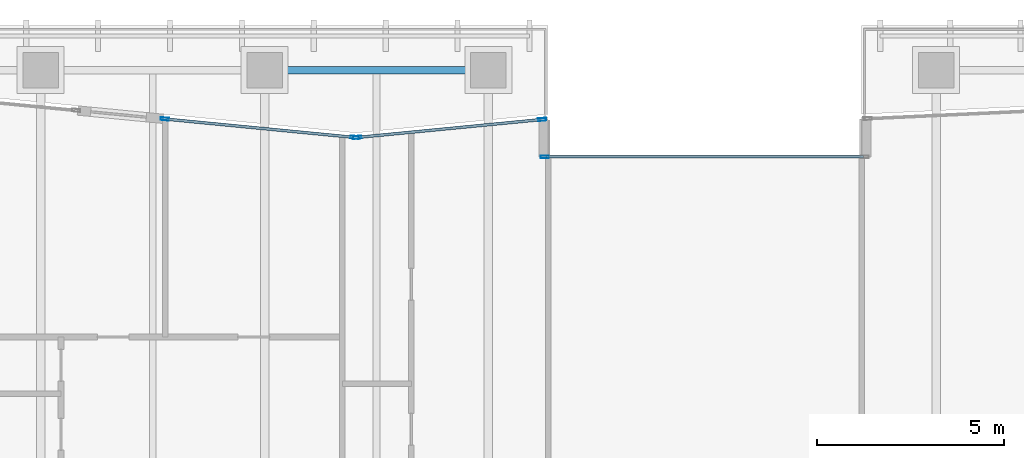
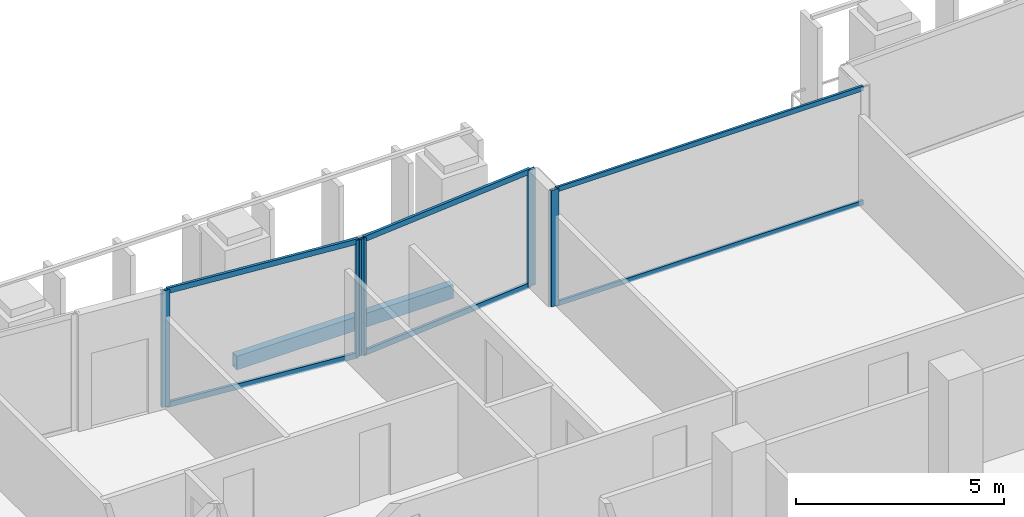
# One storey, part 13 of 39: 11 members, 1 beam, 3 elements without a shape of their own.
"""IFC4 building model written with IfcOpenShell, lengths in metres."""

from ifc_helpers import new_model, si_unit, direction, frame, origin, origin_2d, place, context, subcontext, project, spatial, hollow_rectangle, extrude, material, layer, layer_set, material_profile, profile_set, type_object, element, aggregate, save


model = new_model("IFC4")

# Units and contexts
model_context = context("Model", 3, precision=1e-05, world=origin(), true_north=direction((0.0, 1.0)))
body_context = subcontext(model_context, "Body", "Model", "MODEL_VIEW")
ifc_project = project(units=[si_unit("LENGTHUNIT", "METRE"), si_unit("AREAUNIT", "SQUARE_METRE"), si_unit("VOLUMEUNIT", "CUBIC_METRE"), si_unit("PLANEANGLEUNIT", "RADIAN"), si_unit("MASSUNIT", "GRAM", prefix="KILO")], contexts=[model_context])

# Site, building, storey
site_placement = place(None, origin())
site = spatial("IfcSite", under=ifc_project, at=site_placement, CompositionType="ELEMENT")
building_placement = place(site_placement, origin())
building = spatial("IfcBuilding", under=site, at=building_placement, Name="Tanjung Sevakor Pilgrim Tower", CompositionType="ELEMENT")
storey_placement = place(building_placement, frame((0.0, 0.0, 108.570068359375)))
storey = spatial("IfcBuildingStorey", under=building, at=storey_placement, Name="L30", CompositionType="ELEMENT", Elevation=108.570068359375)

# Beam
ifc_material_1 = material(Name="Steel S355J2", Category="steel")
ifc_material_profile_1 = material_profile(ifc_material_1, hollow_rectangle(XDim=0.199951171875, YDim=0.39990234375, WallThickness=0.01611328125, at=origin_2d()))
ifc_profile_set_1 = profile_set([ifc_material_profile_1], Name="Steel S355J2")
beam_type = type_object("IfcBeamType", Name="BM-B-SP2-RHS_400x200x16", PredefinedType="SPANDREL", material=ifc_profile_set_1)
beam_placement = place(storey_placement, frame((36.0, 56.39990234375, -0.420166015625), z_axis=(1.0, 0.0, 0.0), x_axis=(0.0, 1.0, 0.0)))
element("IfcBeam", 1, at=beam_placement, inside=storey, type_object=beam_type, Name="L30 Spandrel MAIN N-06", PredefinedType="SPANDREL", context=body_context, shape_type="SweptSolid", body=[
    extrude(hollow_rectangle(XDim=0.199951171875, YDim=0.39990234375, WallThickness=0.01611328125, at=origin_2d()), origin(), (0.0, 0.0, 1.0), 6.0),
])

# Curtain wall, member
ifc_material_2 = material(Name="Aluminium 6063-T6 and Low-E Glass", Category="aluminium")
ifc_layer_1 = layer(ifc_material_2, 0.179931640625)
ifc_layer_set_1 = layer_set([ifc_layer_1], Name="CW-SYS-CLEFT")
curtain_wall_type_1 = type_object("IfcCurtainWallType", Name="CW-SYS-CLEFT", PredefinedType="NOTDEFINED", material=ifc_layer_set_1)
curtain_wall_1_placement = place(storey_placement, origin())
curtain_wall_1 = element("IfcCurtainWall", 2, at=curtain_wall_1_placement, inside=storey, type_object=curtain_wall_type_1, Name="L30 Curtain Wall CW-CLF-L30-25", PredefinedType="NOTDEFINED")
ifc_material_3 = material(Name="Aluminium 6063-T6", Category="aluminium")
ifc_material_profile_2 = material_profile(ifc_material_3, hollow_rectangle(XDim=0.074951171875, YDim=0.219970703125, WallThickness=0.0048828125, at=origin_2d()))
ifc_profile_set_2 = profile_set([ifc_material_profile_2], Name="Aluminium 6063-T6")
member_type_1 = type_object("IfcMemberType", Name="TYPE-CWM-2", PredefinedType="MULLION", material=ifc_profile_set_2)
member_1_placement = place(storey_placement, frame((43.512451171875, 54.074951171875, 0.0), z_axis=(0.0, 0.0, 1.0), x_axis=(0.0, -1.0, 0.0)))
member_1 = element("IfcMember", 3, at=member_1_placement, type_object=member_type_1, Name="CW-CLF mullion 2", PredefinedType="MULLION", context=body_context, shape_type="SweptSolid", body=[
    extrude(hollow_rectangle(XDim=0.074951171875, YDim=0.219970703125, WallThickness=0.0048828125, at=origin_2d()), origin(), (0.0, 0.0, 1.0), 3.409912109375),
])

# Curtain wall, members
ifc_material_4 = material(Name="Aluminium 6063-T6 and Low-E Glass", Category="aluminium")
ifc_layer_2 = layer(ifc_material_4, 0.199951171875)
ifc_layer_set_2 = layer_set([ifc_layer_2], Name="CW-SYS-PRAY")
curtain_wall_type_2 = type_object("IfcCurtainWallType", Name="CW-SYS-PRAY", PredefinedType="NOTDEFINED", material=ifc_layer_set_2)
curtain_wall_2_placement = place(storey_placement, origin())
curtain_wall_2 = element("IfcCurtainWall", 4, at=curtain_wall_2_placement, inside=storey, type_object=curtain_wall_type_2, Name="L30 Curtain Wall CW-PRY-L30-27", PredefinedType="NOTDEFINED")
member_2_placement = place(storey_placement, frame((43.437744140625, 55.07861328125, 0.0), z_axis=(0.0, 0.0, 1.0), x_axis=(0.096640066202, -0.99531939477, 0.0)))
member_2 = element("IfcMember", 5, at=member_2_placement, type_object=member_type_1, Name="CW-PRY mullion 1", PredefinedType="MULLION", context=body_context, shape_type="SweptSolid", body=[
    extrude(hollow_rectangle(XDim=0.074951171875, YDim=0.219970703125, WallThickness=0.0048828125, at=origin_2d()), origin(), (0.0, 0.0, 1.0), 3.409912109375),
])
member_3_placement = place(storey_placement, frame((38.4873046875, 54.59814453125, 0.0), z_axis=(0.0, 0.0, 1.0), x_axis=(0.096640066202, -0.99531939477, 0.0)))
member_3 = element("IfcMember", 6, at=member_3_placement, type_object=member_type_1, Name="CW-PRY mullion 2", PredefinedType="MULLION", context=body_context, shape_type="SweptSolid", body=[
    extrude(hollow_rectangle(XDim=0.074951171875, YDim=0.219970703125, WallThickness=0.0048828125, at=origin_2d()), origin(), (0.0, 0.0, 1.0), 3.409912109375),
])

curtain_wall_3_placement = place(storey_placement, origin())
curtain_wall_3 = element("IfcCurtainWall", 7, at=curtain_wall_3_placement, inside=storey, type_object=curtain_wall_type_2, Name="L30 Curtain Wall CW-PRY-L30-28", PredefinedType="NOTDEFINED")
member_4_placement = place(storey_placement, frame((38.41259765625, 54.59814453125, 0.0), z_axis=(0.0, 0.0, 1.0), x_axis=(-0.096637839059, -0.99531961101, 0.0)))
member_4 = element("IfcMember", 8, at=member_4_placement, type_object=member_type_1, Name="CW-PRY mullion 1", PredefinedType="MULLION", context=body_context, shape_type="SweptSolid", body=[
    extrude(hollow_rectangle(XDim=0.074951171875, YDim=0.219970703125, WallThickness=0.0048828125, at=origin_2d()), origin(), (0.0, 0.0, 1.0), 3.409912109375),
])
member_5_placement = place(storey_placement, frame((33.3251953125, 55.092041015625, 0.0), z_axis=(0.0, 0.0, 1.0), x_axis=(-0.096637839059, -0.99531961101, 0.0)))
member_5 = element("IfcMember", 9, at=member_5_placement, type_object=member_type_1, Name="CW-PRY mullion 2", PredefinedType="MULLION", context=body_context, shape_type="SweptSolid", body=[
    extrude(hollow_rectangle(XDim=0.074951171875, YDim=0.219970703125, WallThickness=0.0048828125, at=origin_2d()), origin(), (0.0, 0.0, 1.0), 3.409912109375),
])

# Member
ifc_material_5 = material(Name="Aluminium 6063-T6", Category="aluminium")
ifc_material_profile_3 = material_profile(ifc_material_5, hollow_rectangle(XDim=0.06494140625, YDim=0.139892578125, WallThickness=0.00390625, at=origin_2d()))
ifc_profile_set_3 = profile_set([ifc_material_profile_3], Name="Aluminium 6063-T6")
member_type_2 = type_object("IfcMemberType", Name="TYPE-CWT-1", PredefinedType="USERDEFINED", material=ifc_profile_set_3)
member_6_placement = place(storey_placement, frame((52.050048828125, 54.074951171875, 0.032470703125), z_axis=(-1.0, 0.0, 0.0), x_axis=(0.0, -1.0, 0.0)))
member_6 = element("IfcMember", 10, at=member_6_placement, type_object=member_type_2, Name="CW-CLF transom 1.1", ObjectType="TRANSOM", PredefinedType="USERDEFINED", context=body_context, shape_type="SweptSolid", body=[
    extrude(hollow_rectangle(XDim=0.06494140625, YDim=0.139892578125, WallThickness=0.00390625, at=origin_2d()), origin(), (0.0, 0.0, 1.0), 8.5),
])

member_7_placement = place(storey_placement, frame((52.050048828125, 54.074951171875, 3.37744140625), z_axis=(-1.0, 0.0, 0.0), x_axis=(0.0, -1.0, 0.0)))
member_7 = element("IfcMember", 11, at=member_7_placement, type_object=member_type_2, Name="CW-CLF transom 1.2", ObjectType="TRANSOM", PredefinedType="USERDEFINED", context=body_context, shape_type="SweptSolid", body=[
    extrude(hollow_rectangle(XDim=0.06494140625, YDim=0.139892578125, WallThickness=0.00390625, at=origin_2d()), origin(), (0.0, 0.0, 1.0), 8.5),
])

aggregate(curtain_wall_1, [member_1, member_6, member_7])

ifc_material_6 = material(Name="Aluminium 6063-T6", Category="aluminium")
ifc_material_profile_4 = material_profile(ifc_material_6, hollow_rectangle(XDim=0.074951171875, YDim=0.159912109375, WallThickness=0.00439453125, at=origin_2d()))
ifc_profile_set_4 = profile_set([ifc_material_profile_4], Name="Aluminium 6063-T6")
member_type_3 = type_object("IfcMemberType", Name="TYPE-CWT-2", PredefinedType="USERDEFINED", material=ifc_profile_set_4)
member_8_placement = place(storey_placement, frame((43.400390625, 55.074951171875, 0.037353515625), z_axis=(-0.995319753369, -0.09663637283, 0.0), x_axis=(0.09663637283, -0.995319753369, 0.0)))
member_8 = element("IfcMember", 12, at=member_8_placement, type_object=member_type_3, Name="CW-PRY transom 1.1", ObjectType="TRANSOM", PredefinedType="USERDEFINED", context=body_context, shape_type="SweptSolid", body=[
    extrude(hollow_rectangle(XDim=0.074951171875, YDim=0.159912109375, WallThickness=0.00439453125, at=origin_2d()), origin(), (0.0, 0.0, 1.0), 4.898681640625),
])

member_9_placement = place(storey_placement, frame((43.400390625, 55.074951171875, 3.372314453125), z_axis=(-0.995319753369, -0.09663637283, 0.0), x_axis=(0.09663637283, -0.995319753369, 0.0)))
member_9 = element("IfcMember", 13, at=member_9_placement, type_object=member_type_3, Name="CW-PRY transom 1.2", ObjectType="TRANSOM", PredefinedType="USERDEFINED", context=body_context, shape_type="SweptSolid", body=[
    extrude(hollow_rectangle(XDim=0.074951171875, YDim=0.159912109375, WallThickness=0.00439453125, at=origin_2d()), origin(), (0.0, 0.0, 1.0), 4.898681640625),
])

aggregate(curtain_wall_2, [member_2, member_3, member_8, member_9])

member_10_placement = place(storey_placement, frame((38.375244140625, 54.6015625, 0.037353515625), z_axis=(-0.995317272174, 0.096661924835, 0.0), x_axis=(-0.096661924835, -0.995317272174, 0.0)))
member_10 = element("IfcMember", 14, at=member_10_placement, type_object=member_type_3, Name="CW-PRY transom 1.1", ObjectType="TRANSOM", PredefinedType="USERDEFINED", context=body_context, shape_type="SweptSolid", body=[
    extrude(hollow_rectangle(XDim=0.074951171875, YDim=0.159912109375, WallThickness=0.00439453125, at=origin_2d()), origin(), (0.0, 0.0, 1.0), 5.036376953125),
])

member_11_placement = place(storey_placement, frame((38.375244140625, 54.6015625, 3.372314453125), z_axis=(-0.995317272174, 0.096661924835, 0.0), x_axis=(-0.096661924835, -0.995317272174, 0.0)))
member_11 = element("IfcMember", 15, at=member_11_placement, type_object=member_type_3, Name="CW-PRY transom 1.2", ObjectType="TRANSOM", PredefinedType="USERDEFINED", context=body_context, shape_type="SweptSolid", body=[
    extrude(hollow_rectangle(XDim=0.074951171875, YDim=0.159912109375, WallThickness=0.00439453125, at=origin_2d()), origin(), (0.0, 0.0, 1.0), 5.036376953125),
])

aggregate(curtain_wall_3, [member_4, member_5, member_10, member_11])

save(model, "model.ifc")
